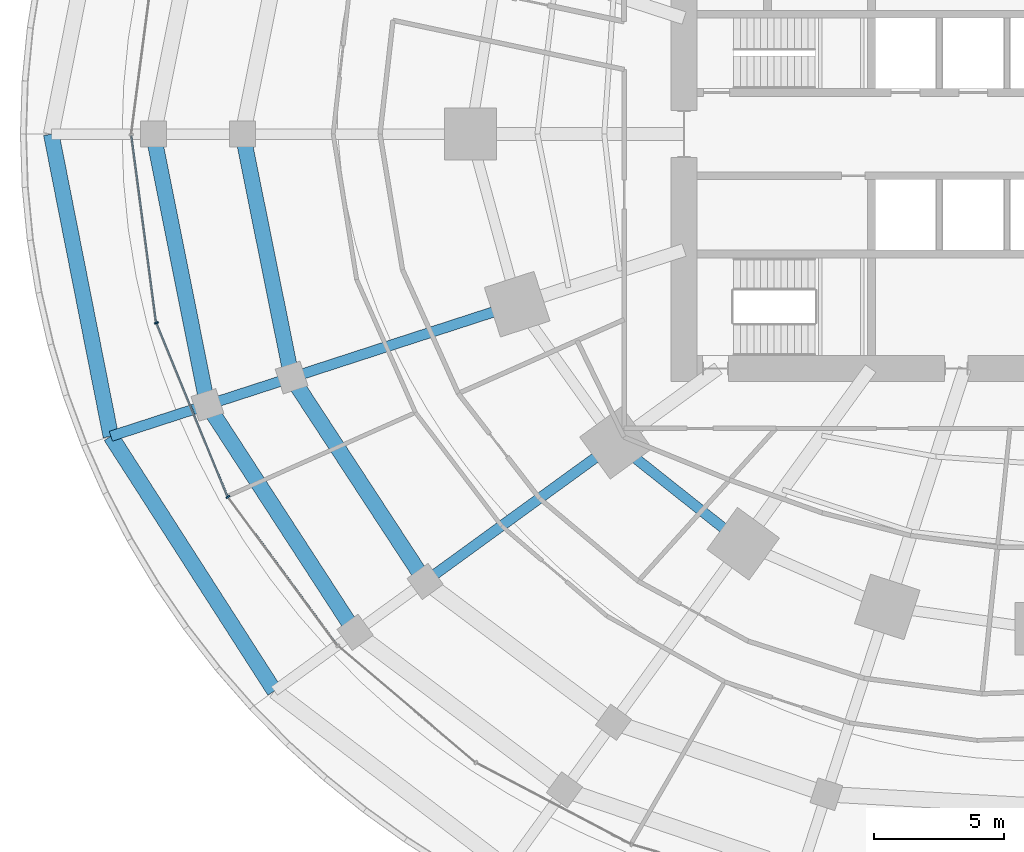
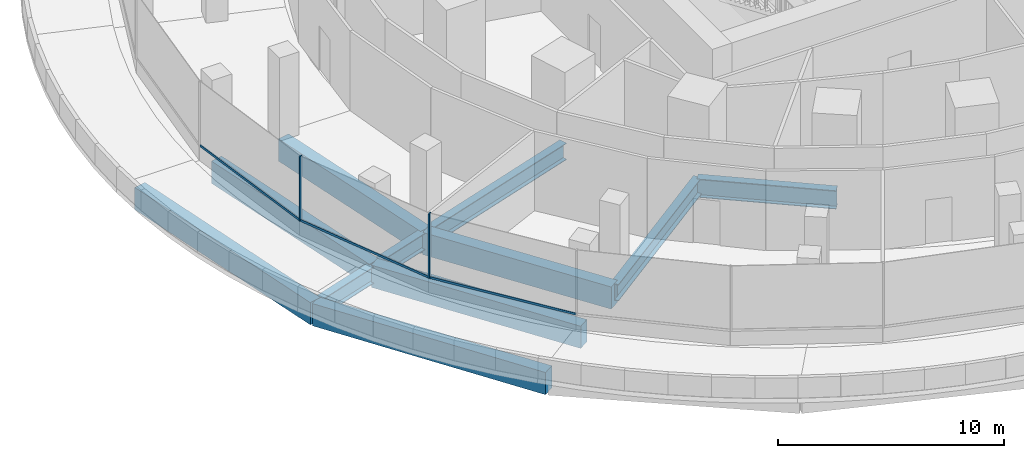
# One storey, part 3 of 27: 11 beams, 5 members, 1 element without a shape of its own.
"""IFC4 building model written with IfcOpenShell, lengths in metres."""

from ifc_helpers import new_model, si_unit, direction, frame, origin, origin_2d, place, context, subcontext, project, spatial, rectangle, i_section, extrude, material, material_profile, profile_set, type_object, element, aggregate, save


model = new_model("IFC4")

# Units and contexts
model_context = context("Model", 3, precision=1e-05, world=origin(), true_north=direction((0.0, 1.0)))
body_context = subcontext(model_context, "Body", "Model", "MODEL_VIEW")
ifc_project = project(units=[si_unit("LENGTHUNIT", "METRE"), si_unit("AREAUNIT", "SQUARE_METRE"), si_unit("VOLUMEUNIT", "CUBIC_METRE"), si_unit("PLANEANGLEUNIT", "RADIAN"), si_unit("MASSUNIT", "GRAM", prefix="KILO")], contexts=[model_context])

# Site, building, storey
site_placement = place(None, origin())
site = spatial("IfcSite", under=ifc_project, at=site_placement, CompositionType="ELEMENT")
building_placement = place(site_placement, origin())
building = spatial("IfcBuilding", under=site, at=building_placement, Name="Marramba Exchange Tower", CompositionType="ELEMENT")
storey_placement = place(building_placement, frame((0.0, 0.0, 10.60009765625)))
storey = spatial("IfcBuildingStorey", under=building, at=storey_placement, Name="L02", CompositionType="ELEMENT", Elevation=10.60009765625)

# Beams
ifc_material_1 = material(Name="Concrete N50", Category="concrete")
ifc_material_profile_1 = material_profile(ifc_material_1, rectangle(XDim=0.60009765625, YDim=1.199951171875, at=origin_2d()), Name="RC 600x1200")
ifc_profile_set_1 = profile_set([ifc_material_profile_1], Name="Concrete N50")
beam_type_1 = type_object("IfcBeamType", Name="Edge beam RC 600x1200 N50", PredefinedType="SPANDREL", material=ifc_profile_set_1)
beam_1_placement = place(storey_placement, frame((-38.0, 0.0, -0.85009765625), z_axis=(0.19344375153, -0.981111367274, 0.0), x_axis=(0.981111367274, 0.19344375153, 0.0)))
element("IfcBeam", 1, at=beam_1_placement, inside=storey, type_object=beam_type_1, Name="Edge beam L02 P1C11", PredefinedType="SPANDREL", context=body_context, shape_type="SweptSolid", body=[
    extrude(rectangle(XDim=0.60009765625, YDim=1.199951171875, at=origin_2d()), origin(), (0.0, 0.0, 1.0), 11.826904296875),
])
beam_2_placement = place(storey_placement, frame((-35.712158203125, -11.603515625, -0.85009765625), z_axis=(0.540426316599, -0.841391345526, 0.0), x_axis=(0.841391345526, 0.540426316599, 0.0)))
element("IfcBeam", 2, at=beam_2_placement, inside=storey, type_object=beam_type_1, Name="Edge beam L02 P1C12", PredefinedType="SPANDREL", context=body_context, shape_type="SweptSolid", body=[
    extrude(rectangle(XDim=0.60009765625, YDim=1.199951171875, at=origin_2d()), origin(), (0.0, 0.0, 1.0), 11.622802734375),
])
beam_3_placement = place(storey_placement, frame((-34.080078125, 0.0, -0.800048828125), z_axis=(0.195673363142, -0.980669126136, 0.0), x_axis=(0.980669126136, 0.195673363142, 0.0)))
element("IfcBeam", 3, at=beam_3_placement, inside=storey, type_object=beam_type_1, Name="Edge beam L02 P2C11", PredefinedType="SPANDREL", context=body_context, shape_type="SweptSolid", body=[
    extrude(rectangle(XDim=0.60009765625, YDim=1.199951171875, at=origin_2d()), origin(), (0.0, 0.0, 1.0), 10.604248046875),
])
beam_4_placement = place(storey_placement, frame((-32.005126953125, -10.399169921875, -0.800048828125), z_axis=(0.544797972412, -0.838567331379, 0.0), x_axis=(0.838567331379, 0.544797972412, 0.0)))
element("IfcBeam", 4, at=beam_4_placement, inside=storey, type_object=beam_type_1, Name="Edge beam L02 P2C12", PredefinedType="SPANDREL", context=body_context, shape_type="SweptSolid", body=[
    extrude(rectangle(XDim=0.60009765625, YDim=1.199951171875, at=origin_2d()), origin(), (0.0, 0.0, 1.0), 10.413330078125),
])
beam_5_placement = place(storey_placement, frame((-30.64990234375, 0.0, -0.800048828125), z_axis=(0.197125420847, -0.980378278246, 0.0), x_axis=(0.980378278246, 0.197125420847, 0.0)))
element("IfcBeam", 5, at=beam_5_placement, inside=storey, type_object=beam_type_1, Name="Edge beam L02 P3C11", PredefinedType="SPANDREL", context=body_context, shape_type="SweptSolid", body=[
    extrude(rectangle(XDim=0.60009765625, YDim=1.199951171875, at=origin_2d()), origin(), (0.0, 0.0, 1.0), 9.53515625),
])
beam_6_placement = place(storey_placement, frame((-28.770263671875, -9.34814453125, -0.800048828125), z_axis=(0.547649213564, -0.836708036822, 0.0), x_axis=(0.836708036822, 0.547649213564, 0.0)))
element("IfcBeam", 6, at=beam_6_placement, inside=storey, type_object=beam_type_1, Name="Edge beam L02 P3C12", PredefinedType="SPANDREL", context=body_context, shape_type="SweptSolid", body=[
    extrude(rectangle(XDim=0.60009765625, YDim=1.199951171875, at=origin_2d()), origin(), (0.0, 0.0, 1.0), 9.359130859375),
])

# Curtain wall, members
ifc_material_2 = material(Name="Aluminium framing, bronze anodised", Category="aluminium")
curtain_wall_type = type_object("IfcCurtainWallType", Name="Podium ribbon curtain wall", PredefinedType="USERDEFINED", material=ifc_material_2)
curtain_wall_placement = place(storey_placement, origin())
curtain_wall = element("IfcCurtainWall", 7, at=curtain_wall_placement, inside=storey, type_object=curtain_wall_type, Name="Curtain wall CW2 L02 F16-F20", ObjectType="RIBBON CURTAIN WALL", PredefinedType="USERDEFINED")
ifc_material_3 = material(Name="Aluminium mullion, bronze anodised", Category="aluminium")
ifc_material_profile_2 = material_profile(ifc_material_3, rectangle(XDim=0.159912109375, YDim=0.06005859375, at=origin_2d()), Name="CW2 mullion 60x160")
ifc_profile_set_2 = profile_set([ifc_material_profile_2], Name="Aluminium mullion, bronze anodised")
member_type_1 = type_object("IfcMemberType", Name="Podium ribbon curtain wall mullion", PredefinedType="MULLION", material=ifc_profile_set_2)
member_1_placement = place(storey_placement, frame((-33.965087890625, -7.249755859375, 0.7998046875), z_axis=(0.0, 0.0, 1.0), x_axis=(0.925298477778, 0.379239669632, 0.0)))
member_1 = element("IfcMember", 8, at=member_1_placement, type_object=member_type_1, Name="CW2 mullion 1", PredefinedType="MULLION", context=body_context, shape_type="SweptSolid", body=[
    extrude(rectangle(XDim=0.159912109375, YDim=0.06005859375, at=origin_2d()), origin(), (0.0, 0.0, 1.0), 3.5),
])
member_2_placement = place(storey_placement, frame((-31.218505859375, -13.931396484375, 0.7998046875), z_axis=(0.0, 0.0, 1.0), x_axis=(0.805102086738, 0.593136265904, 0.0)))
member_2 = element("IfcMember", 9, at=member_2_placement, type_object=member_type_1, Name="CW2 mullion 1", PredefinedType="MULLION", context=body_context, shape_type="SweptSolid", body=[
    extrude(rectangle(XDim=0.159912109375, YDim=0.06005859375, at=origin_2d()), origin(), (0.0, 0.0, 1.0), 3.5),
])
ifc_material_4 = material(Name="Aluminium transom, bronze anodised", Category="aluminium")
ifc_material_profile_3 = material_profile(ifc_material_4, rectangle(XDim=0.06005859375, YDim=0.1201171875, at=origin_2d()), Name="CW2 transom 60x120")
ifc_profile_set_3 = profile_set([ifc_material_profile_3], Name="Aluminium transom, bronze anodised")
member_type_2 = type_object("IfcMemberType", Name="Podium ribbon curtain wall transom", PredefinedType="USERDEFINED", material=ifc_profile_set_3)
member_3_placement = place(storey_placement, frame((-34.922119140625, -0.0595703125, 0.829833984375), z_axis=(0.130915182154, -0.991393572241, 0.0), x_axis=(0.991393572241, 0.130915182154, 0.0)))
member_3 = element("IfcMember", 10, at=member_3_placement, type_object=member_type_2, Name="CW2 sill transom", ObjectType="TRANSOM", PredefinedType="USERDEFINED", context=body_context, shape_type="SweptSolid", body=[
    extrude(rectangle(XDim=0.06005859375, YDim=0.1201171875, at=origin_2d()), origin(), (0.0, 0.0, 1.0), 7.224609375),
])
member_4_placement = place(storey_placement, frame((-33.95361328125, -7.27734375, 0.829833984375), z_axis=(0.379237764989, -0.925299258406, 0.0), x_axis=(0.925299258406, 0.379237764989, 0.0)))
member_4 = element("IfcMember", 11, at=member_4_placement, type_object=member_type_2, Name="CW2 sill transom", ObjectType="TRANSOM", PredefinedType="USERDEFINED", context=body_context, shape_type="SweptSolid", body=[
    extrude(rectangle(XDim=0.06005859375, YDim=0.1201171875, at=origin_2d()), origin(), (0.0, 0.0, 1.0), 7.1650390625),
])
member_5_placement = place(storey_placement, frame((-31.20068359375, -13.95556640625, 0.829833984375), z_axis=(0.593139966087, -0.805099360719, 0.0), x_axis=(0.805099360719, 0.593139966087, 0.0)))
member_5 = element("IfcMember", 12, at=member_5_placement, type_object=member_type_2, Name="CW2 sill transom", ObjectType="TRANSOM", PredefinedType="USERDEFINED", context=body_context, shape_type="SweptSolid", body=[
    extrude(rectangle(XDim=0.06005859375, YDim=0.1201171875, at=origin_2d()), origin(), (0.0, 0.0, 1.0), 7.049072265625),
])
aggregate(curtain_wall, [member_3, member_1, member_4, member_2, member_5])

# Beams
ifc_material_5 = material(Name="Steel AS/NZS 3679.2 grade 300", Category="steel")
ifc_material_profile_4 = material_profile(ifc_material_5, i_section(OverallWidth=0.39990234375, OverallDepth=0.89990234375, WebThickness=0.01611328125, FlangeThickness=0.031982421875, at=origin_2d()), Name="900WB282")
ifc_profile_set_4 = profile_set([ifc_material_profile_4], Name="Steel AS/NZS 3679.2 grade 300")
beam_type_2 = type_object("IfcBeamType", Name="Radial girder 900WB282", PredefinedType="BEAM", material=ifc_profile_set_4)
beam_7_placement = place(storey_placement, frame((-35.712158203125, -11.603515625, -0.7001953125), z_axis=(0.95106720483, 0.308984096511, 0.0), x_axis=(-0.308984096511, 0.95106720483, 0.0)))
element("IfcBeam", 13, at=beam_7_placement, inside=storey, type_object=beam_type_2, Name="Radial girder L02 P1C12", PredefinedType="BEAM", context=body_context, shape_type="SweptSolid", body=[
    extrude(i_section(OverallWidth=0.39990234375, OverallDepth=0.89990234375, WebThickness=0.01611328125, FlangeThickness=0.031982421875, at=origin_2d()), origin(), (0.0, 0.0, 1.0), 3.897705078125),
])
beam_8_placement = place(storey_placement, frame((-32.005126953125, -10.399169921875, -0.650146484375), z_axis=(0.951060439376, 0.309004920114, 0.0), x_axis=(-0.309004920114, 0.951060439376, 0.0)))
element("IfcBeam", 14, at=beam_8_placement, inside=storey, type_object=beam_type_2, Name="Radial girder L02 P2C12", PredefinedType="BEAM", context=body_context, shape_type="SweptSolid", body=[
    extrude(i_section(OverallWidth=0.39990234375, OverallDepth=0.89990234375, WebThickness=0.01611328125, FlangeThickness=0.031982421875, at=origin_2d()), origin(), (0.0, 0.0, 1.0), 3.4013671875),
])
beam_9_placement = place(storey_placement, frame((-28.770263671875, -9.34814453125, -0.650146484375), z_axis=(0.951052783345, 0.309028482977, 0.0), x_axis=(-0.309028482977, 0.951052783345, 0.0)))
element("IfcBeam", 15, at=beam_9_placement, inside=storey, type_object=beam_type_2, Name="Radial girder L02 P3C12", PredefinedType="BEAM", context=body_context, shape_type="SweptSolid", body=[
    extrude(i_section(OverallWidth=0.39990234375, OverallDepth=0.89990234375, WebThickness=0.01611328125, FlangeThickness=0.031982421875, at=origin_2d()), origin(), (0.0, 0.0, 1.0), 9.106689453125),
])
beam_10_placement = place(storey_placement, frame((-23.644775390625, -17.178955078125, -0.650146484375), z_axis=(0.809011012896, 0.587793485004, 0.0), x_axis=(-0.587793485004, 0.809011012896, 0.0)))
element("IfcBeam", 16, at=beam_10_placement, inside=storey, type_object=beam_type_2, Name="Radial girder L02 P3C13", PredefinedType="BEAM", context=body_context, shape_type="SweptSolid", body=[
    extrude(i_section(OverallWidth=0.39990234375, OverallDepth=0.89990234375, WebThickness=0.01611328125, FlangeThickness=0.031982421875, at=origin_2d()), origin(), (0.0, 0.0, 1.0), 9.0595703125),
])
ifc_material_profile_5 = material_profile(ifc_material_5, i_section(OverallWidth=0.39990234375, OverallDepth=1.0, WebThickness=0.01611328125, FlangeThickness=0.031982421875, at=origin_2d()), Name="1000WB322")
ifc_profile_set_5 = profile_set([ifc_material_profile_5], Name="Steel AS/NZS 3679.2 grade 300")
beam_type_3 = type_object("IfcBeamType", Name="Ring beam 1000WB322", PredefinedType="SPANDREL", material=ifc_profile_set_5)
beam_11_placement = place(storey_placement, frame((-16.3154296875, -11.853759765625, -0.7001953125), z_axis=(0.783139438128, -0.621846138887, 0.0), x_axis=(0.621846138887, 0.783139438128, 0.0)))
element("IfcBeam", 17, at=beam_11_placement, inside=storey, type_object=beam_type_3, Name="Ring beam L02 TC13-TC14", PredefinedType="SPANDREL", context=body_context, shape_type="SweptSolid", body=[
    extrude(i_section(OverallWidth=0.39990234375, OverallDepth=1.0, WebThickness=0.01611328125, FlangeThickness=0.031982421875, at=origin_2d()), origin(), (0.0, 0.0, 1.0), 6.23779296875),
])

save(model, "model.ifc")
